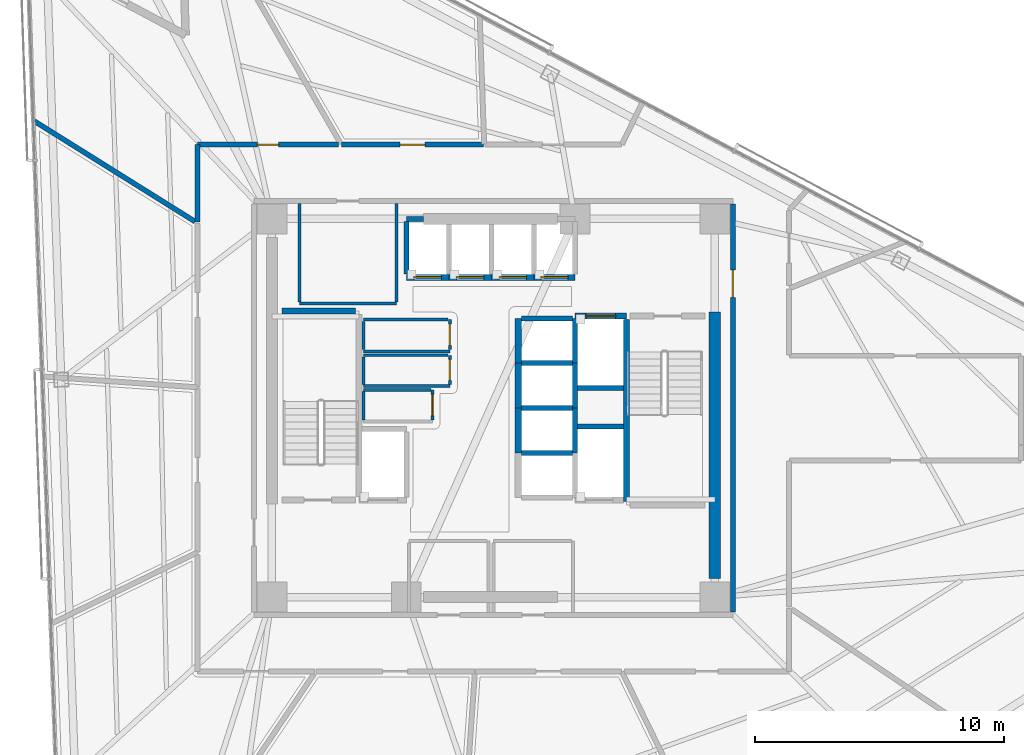
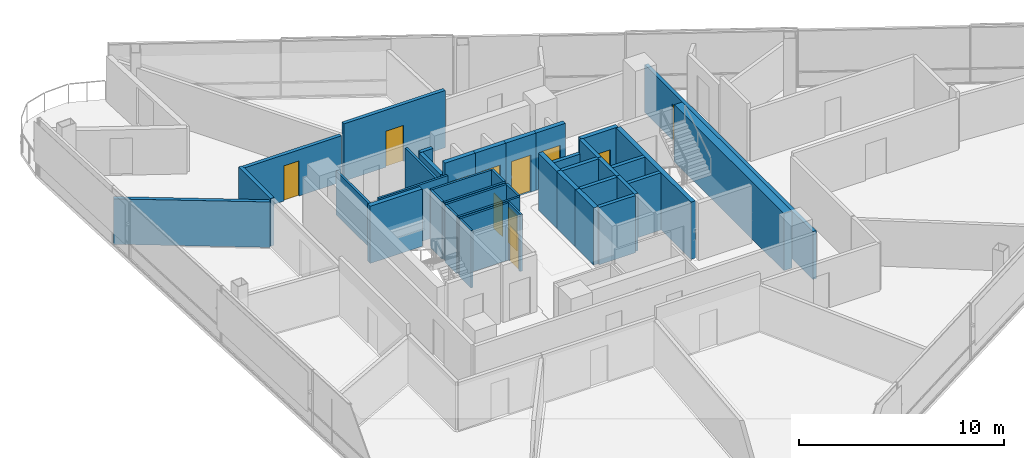
# One storey, part 13 of 20: 41 walls, 11 doors, 11 openings.
"""IFC4 building model written with IfcOpenShell, lengths in metres."""

from ifc_helpers import new_model, si_unit, direction, frame, frame_2d, origin, place, context, subcontext, project, spatial, rectangle, extrude, material, layer, layer_set, type_object, element, fill, save


model = new_model("IFC4")

# Units and contexts
model_context = context("Model", 3, precision=1e-05, world=origin(), true_north=direction((0.0, 1.0)))
body_context = subcontext(model_context, "Body", "Model", "MODEL_VIEW")
ifc_project = project(units=[si_unit("LENGTHUNIT", "METRE"), si_unit("AREAUNIT", "SQUARE_METRE"), si_unit("VOLUMEUNIT", "CUBIC_METRE"), si_unit("PLANEANGLEUNIT", "RADIAN"), si_unit("MASSUNIT", "GRAM", prefix="KILO")], contexts=[model_context])

# Site, building, storey
site_placement = place(None, origin())
site = spatial("IfcSite", under=ifc_project, at=site_placement, CompositionType="ELEMENT")
building_placement = place(site_placement, origin())
building = spatial("IfcBuilding", under=site, at=building_placement, Name="Tharavind Bronze Gate", CompositionType="ELEMENT")
storey_placement = place(building_placement, frame((0.0, 0.0, 149.60009765625)))
storey = spatial("IfcBuildingStorey", under=building, at=storey_placement, Name="L38", CompositionType="ELEMENT", Elevation=149.60009765625)

# Wall, opening, door
ifc_material_1 = material(Name="Aerated Concrete Block", Category="concrete")
ifc_layer_1 = layer(ifc_material_1, 0.199951171875)
ifc_layer_set_1 = layer_set([ifc_layer_1], Name="Aerated Concrete Block")
wall_type_1 = type_object("IfcWallType", Name="FIRE RATED PARTITION 200", PredefinedType="PARTITIONING", material=ifc_layer_set_1)
wall_1_placement = place(storey_placement, frame((9.6201171875, -8.199951171875, 0.0), z_axis=(0.0, 0.0, 1.0), x_axis=(0.0, 1.0, 0.0)))
wall_1 = element("IfcWall", 1, at=wall_1_placement, inside=storey, type_object=wall_type_1, Name="L38 east core corridor wall", PredefinedType="PARTITIONING", context=body_context, shape_type="SweptSolid", body=[
    extrude(rectangle(XDim=16.39990234375, YDim=0.199951171875, at=frame_2d((8.199951171875, 0.0))), origin(), (0.0, 0.0, 1.0), 2.85498046875),
])
opening_1_placement = place(wall_1_placement, frame((12.64990234375, 0.0, 0.0)))
opening_1 = element("IfcOpeningElement", 2, at=opening_1_placement, cuts=wall_1, Name="Opening ID01", PredefinedType="OPENING", context=body_context, shape_type="SweptSolid", body=[
    extrude(rectangle(XDim=1.10009765625, YDim=2.14990234375, at=frame_2d((0.550048828125, 1.074951171875))), frame((0.0, 0.11009765625, 0.0), z_axis=(0.0, -1.0, 0.0), x_axis=(1.0, 0.0, 0.0)), (0.0, 0.0, 1.0), 0.219951171875),
])
ifc_material_2 = material(Name="Fire-Rated Steel", Category="steel")
door_type_1 = type_object("IfcDoorType", Name="STAIR CORE FIRE DOOR 1100X2150", OperationType="SINGLE_SWING_LEFT", PredefinedType="DOOR", material=ifc_material_2)
door_1_placement = place(opening_1_placement, frame((1.10009765625, 0.0, 0.0), z_axis=(0.0, 0.0, 1.0), x_axis=(-1.0, 0.0, 0.0)))
door_1 = element("IfcDoor", 3, at=door_1_placement, inside=storey, type_object=door_type_1, Name="L38 north east stair lobby fire door", OperationType="SINGLE_SWING_LEFT", OverallHeight=2.14990234375, OverallWidth=1.10009765625, PredefinedType="DOOR", context=body_context, shape_type="SweptSolid", body=[
    extrude(rectangle(XDim=1.10009765625, YDim=2.14990234375, at=frame_2d((0.550048828125, 1.074951171875))), frame((0.0, 0.02490234375, 0.0), z_axis=(0.0, -1.0, 0.0), x_axis=(1.0, 0.0, 0.0)), (0.0, 0.0, 1.0), 0.050048828125),
])
fill(opening_1, door_1)

wall_2_placement = place(storey_placement, frame((-6.2294921875, 10.580078125, 0.0), z_axis=(0.0, 0.0, 1.0), x_axis=(-1.0, 0.0, 0.0)))
wall_2 = element("IfcWall", 4, at=wall_2_placement, inside=storey, type_object=wall_type_1, Name="L38 Public Restrooms Block partition", PredefinedType="PARTITIONING", context=body_context, shape_type="SweptSolid", body=[
    extrude(rectangle(XDim=5.64990234375, YDim=0.199951171875, at=frame_2d((2.824951171875, 0.0))), origin(), (0.0, 0.0, 1.0), 2.7548828125),
])
opening_2_placement = place(wall_2_placement, frame((2.39990234375, 0.0, 0.0)))
opening_2 = element("IfcOpeningElement", 5, at=opening_2_placement, cuts=wall_2, Name="Opening ID06", PredefinedType="OPENING", context=body_context, shape_type="SweptSolid", body=[
    extrude(rectangle(XDim=0.85009765625, YDim=2.10009765625, at=frame_2d((0.425048828125, 1.050048828125))), frame((0.0, 0.11009765625, 0.0), z_axis=(0.0, -1.0, 0.0), x_axis=(1.0, 0.0, 0.0)), (0.0, 0.0, 1.0), 0.219951171875),
])
ifc_material_3 = material(Name="Moisture-Resistant Timber", Category="wood")
door_type_2 = type_object("IfcDoorType", Name="BATHROOM PRIVACY DOOR 850X2100", OperationType="SINGLE_SWING_RIGHT", PredefinedType="DOOR", material=ifc_material_3)
door_2_placement = place(opening_2_placement, origin())
door_2 = element("IfcDoor", 6, at=door_2_placement, inside=storey, type_object=door_type_2, Name="L38 Public Restrooms Block door", OperationType="SINGLE_SWING_RIGHT", OverallHeight=2.10009765625, OverallWidth=0.85009765625, PredefinedType="DOOR", context=body_context, shape_type="SweptSolid", body=[
    extrude(rectangle(XDim=0.85009765625, YDim=2.10009765625, at=frame_2d((0.425048828125, 1.050048828125))), frame((0.0, 0.02490234375, 0.0), z_axis=(0.0, -1.0, 0.0), x_axis=(1.0, 0.0, 0.0)), (0.0, 0.0, 1.0), 0.050048828125),
])
fill(opening_2, door_2)

# Walls
wall_3_placement = place(storey_placement, frame((-11.8798828125, 10.579345703125, 0.0), z_axis=(0.0, 0.0, 1.0), x_axis=(0.0, -1.0, 0.0)))
element("IfcWall", 7, at=wall_3_placement, inside=storey, type_object=wall_type_1, Name="L38 Public Restrooms Block partition", PredefinedType="PARTITIONING", context=body_context, shape_type="SweptSolid", body=[
    extrude(rectangle(XDim=3.11083984375, YDim=0.199951171875, at=frame_2d((1.555419921875, 0.0))), origin(), (0.0, 0.0, 1.0), 2.85498046875),
])
wall_4_placement = place(storey_placement, frame((-11.985107421875, 7.489013671875, 0.0), z_axis=(0.0, 0.0, 1.0), x_axis=(-0.848034171939, 0.529941546988, 0.0)))
element("IfcWall", 8, at=wall_4_placement, inside=storey, type_object=wall_type_1, Name="L38 Public Restrooms Block partition", PredefinedType="PARTITIONING", context=body_context, shape_type="SweptSolid", body=[
    extrude(rectangle(XDim=7.6474609375, YDim=0.199951171875, at=frame_2d((3.82373046875, 0.0))), origin(), (0.0, 0.0, 1.0), 2.704833984375),
])

# Wall, opening, door
wall_5_placement = place(storey_placement, frame((-0.395263671875, 10.580078125, 0.0), z_axis=(0.0, 0.0, 1.0), x_axis=(-1.0, 0.0, 0.0)))
wall_5 = element("IfcWall", 9, at=wall_5_placement, inside=storey, type_object=wall_type_1, Name="L38 Advisory Office 2 partition", PredefinedType="PARTITIONING", context=body_context, shape_type="SweptSolid", body=[
    extrude(rectangle(XDim=5.69873046875, YDim=0.199951171875, at=frame_2d((2.849365234375, 0.0))), origin(), (0.0, 0.0, 1.0), 3.409912109375),
])
opening_3_placement = place(wall_5_placement, frame((2.34912109375, 0.0, 0.0)))
opening_3 = element("IfcOpeningElement", 10, at=opening_3_placement, cuts=wall_5, Name="Opening ID04", PredefinedType="OPENING", context=body_context, shape_type="SweptSolid", body=[
    extrude(rectangle(XDim=1.0, YDim=2.14990234375, at=frame_2d((0.5, 1.074951171875))), frame((0.0, 0.11009765625, 0.0), z_axis=(0.0, -1.0, 0.0), x_axis=(1.0, 0.0, 0.0)), (0.0, 0.0, 1.0), 0.219951171875),
])
ifc_material_4 = material(Name="Bronze Framed Acoustic Timber", Category="wood")
door_type_3 = type_object("IfcDoorType", Name="OFFICE TENANCY DOOR 1000X2150", OperationType="SINGLE_SWING_RIGHT", PredefinedType="DOOR", material=ifc_material_4)
door_3_placement = place(opening_3_placement, origin())
door_3 = element("IfcDoor", 11, at=door_3_placement, inside=storey, type_object=door_type_3, Name="L38 Advisory Office 2 door", OperationType="SINGLE_SWING_RIGHT", OverallHeight=2.14990234375, OverallWidth=1.0, PredefinedType="DOOR", context=body_context, shape_type="SweptSolid", body=[
    extrude(rectangle(XDim=1.0, YDim=2.14990234375, at=frame_2d((0.5, 1.074951171875))), frame((0.0, 0.02490234375, 0.0), z_axis=(0.0, -1.0, 0.0), x_axis=(1.0, 0.0, 0.0)), (0.0, 0.0, 1.0), 0.050048828125),
])
fill(opening_3, door_3)

# Wall
ifc_material_5 = material(Name="Metal Stud Gypsum Partition", Category="gypsum")
ifc_layer_2 = layer(ifc_material_5, 0.1201171875)
ifc_layer_set_2 = layer_set([ifc_layer_2], Name="Metal Stud Gypsum Partition")
wall_type_2 = type_object("IfcWallType", Name="INTERIOR PARTITION WALL 120", PredefinedType="PARTITIONING", material=ifc_layer_set_2)
wall_6_placement = place(storey_placement, frame((-5.219970703125, 2.280029296875, 0.0), z_axis=(0.0, 0.0, 1.0), x_axis=(1.0, 0.0, 0.0)))
element("IfcWall", 12, at=wall_6_placement, inside=storey, type_object=wall_type_2, Name="L38 Housekeeping Linen Store partition 1", PredefinedType="PARTITIONING", context=body_context, shape_type="SweptSolid", body=[
    extrude(rectangle(XDim=3.469970703125, YDim=0.1201171875, at=frame_2d((1.73486328125, 0.0))), origin(), (0.0, 0.0, 1.0), 3.409912109375),
])

# Wall, opening, door
wall_7_placement = place(storey_placement, frame((-1.75, 2.344970703125, 0.0), z_axis=(0.0, 0.0, 1.0), x_axis=(0.0, 1.0, 0.0)))
wall_7 = element("IfcWall", 13, at=wall_7_placement, inside=storey, type_object=wall_type_2, Name="L38 Housekeeping Linen Store partition 2", PredefinedType="PARTITIONING", context=body_context, shape_type="SweptSolid", body=[
    extrude(rectangle(XDim=1.205078125, YDim=0.1201171875, at=frame_2d((0.6025390625, 0.0))), origin(), (0.0, 0.0, 1.0), 3.409912109375),
])
opening_4_placement = place(wall_7_placement, frame((0.177001953125, 0.0, 0.0)))
opening_4 = element("IfcOpeningElement", 14, at=opening_4_placement, cuts=wall_7, Name="Opening ID06", PredefinedType="OPENING", context=body_context, shape_type="SweptSolid", body=[
    extrude(rectangle(XDim=0.85009765625, YDim=2.10009765625, at=frame_2d((0.425048828125, 1.050048828125))), frame((0.0, 0.07005859375, 0.0), z_axis=(0.0, -1.0, 0.0), x_axis=(1.0, 0.0, 0.0)), (0.0, 0.0, 1.0), 0.1401171875),
])
door_4_placement = place(opening_4_placement, frame((0.85009765625, 0.0, 0.0), z_axis=(0.0, 0.0, 1.0), x_axis=(-1.0, 0.0, 0.0)))
door_4 = element("IfcDoor", 15, at=door_4_placement, inside=storey, type_object=door_type_2, Name="L38 Housekeeping Linen Store door", OperationType="SINGLE_SWING_RIGHT", OverallHeight=2.10009765625, OverallWidth=0.85009765625, PredefinedType="DOOR", context=body_context, shape_type="SweptSolid", body=[
    extrude(rectangle(XDim=0.85009765625, YDim=2.10009765625, at=frame_2d((0.425048828125, 1.050048828125))), frame((0.0, 0.02490234375, 0.0), z_axis=(0.0, -1.0, 0.0), x_axis=(1.0, 0.0, 0.0)), (0.0, 0.0, 1.0), 0.050048828125),
])
fill(opening_4, door_4)

# Walls
wall_8_placement = place(storey_placement, frame((-1.81494140625, 3.550048828125, 0.0), z_axis=(0.0, 0.0, 1.0), x_axis=(-1.0, 0.0, 0.0)))
element("IfcWall", 16, at=wall_8_placement, inside=storey, type_object=wall_type_2, Name="L38 Housekeeping Linen Store partition 3", PredefinedType="PARTITIONING", context=body_context, shape_type="SweptSolid", body=[
    extrude(rectangle(XDim=3.405029296875, YDim=0.1201171875, at=frame_2d((1.70263671875, 0.0))), origin(), (0.0, 0.0, 1.0), 3.409912109375),
])
wall_9_placement = place(storey_placement, frame((-5.219970703125, 3.485107421875, 0.0), z_axis=(0.0, 0.0, 1.0), x_axis=(0.0, -1.0, 0.0)))
element("IfcWall", 17, at=wall_9_placement, inside=storey, type_object=wall_type_2, Name="L38 Housekeeping Linen Store partition 4", PredefinedType="PARTITIONING", context=body_context, shape_type="SweptSolid", body=[
    extrude(rectangle(XDim=1.14013671875, YDim=0.1201171875, at=frame_2d((0.570068359375, 0.0))), origin(), (0.0, 0.0, 1.0), 3.409912109375),
])
wall_10_placement = place(storey_placement, frame((-5.219970703125, 0.8798828125, 0.0), z_axis=(0.0, 0.0, 1.0), x_axis=(1.0, 0.0, 0.0)))
element("IfcWall", 18, at=wall_10_placement, inside=storey, type_object=wall_type_2, Name="L38 Comms Data Room partition 1", PredefinedType="PARTITIONING", context=body_context, shape_type="SweptSolid", body=[
    extrude(rectangle(XDim=3.469970703125, YDim=0.1201171875, at=frame_2d((1.73486328125, 0.0))), origin(), (0.0, 0.0, 1.0), 3.409912109375),
])

# Wall, opening, door
wall_11_placement = place(storey_placement, frame((-1.75, 0.945068359375, 0.0), z_axis=(0.0, 0.0, 1.0), x_axis=(0.0, 1.0, 0.0)))
wall_11 = element("IfcWall", 19, at=wall_11_placement, inside=storey, type_object=wall_type_2, Name="L38 Comms Data Room partition 2", PredefinedType="PARTITIONING", context=body_context, shape_type="SweptSolid", body=[
    extrude(rectangle(XDim=1.175048828125, YDim=0.1201171875, at=frame_2d((0.58740234375, 0.0))), origin(), (0.0, 0.0, 1.0), 3.409912109375),
])
opening_5_placement = place(wall_11_placement, frame((0.1630859375, 0.0, 0.0)))
opening_5 = element("IfcOpeningElement", 20, at=opening_5_placement, cuts=wall_11, Name="Opening ID06", PredefinedType="OPENING", context=body_context, shape_type="SweptSolid", body=[
    extrude(rectangle(XDim=0.85009765625, YDim=2.10009765625, at=frame_2d((0.425048828125, 1.050048828125))), frame((0.0, 0.07005859375, 0.0), z_axis=(0.0, -1.0, 0.0), x_axis=(1.0, 0.0, 0.0)), (0.0, 0.0, 1.0), 0.1401171875),
])
door_5_placement = place(opening_5_placement, frame((0.85009765625, 0.0, 0.0), z_axis=(0.0, 0.0, 1.0), x_axis=(-1.0, 0.0, 0.0)))
door_5 = element("IfcDoor", 21, at=door_5_placement, inside=storey, type_object=door_type_2, Name="L38 Comms Data Room door", OperationType="SINGLE_SWING_RIGHT", OverallHeight=2.10009765625, OverallWidth=0.85009765625, PredefinedType="DOOR", context=body_context, shape_type="SweptSolid", body=[
    extrude(rectangle(XDim=0.85009765625, YDim=2.10009765625, at=frame_2d((0.425048828125, 1.050048828125))), frame((0.0, 0.02490234375, 0.0), z_axis=(0.0, -1.0, 0.0), x_axis=(1.0, 0.0, 0.0)), (0.0, 0.0, 1.0), 0.050048828125),
])
fill(opening_5, door_5)

# Walls
wall_12_placement = place(storey_placement, frame((-1.81494140625, 2.1201171875, 0.0), z_axis=(0.0, 0.0, 1.0), x_axis=(-1.0, 0.0, 0.0)))
element("IfcWall", 22, at=wall_12_placement, inside=storey, type_object=wall_type_2, Name="L38 Comms Data Room partition 3", PredefinedType="PARTITIONING", context=body_context, shape_type="SweptSolid", body=[
    extrude(rectangle(XDim=3.405029296875, YDim=0.1201171875, at=frame_2d((1.70263671875, 0.0))), origin(), (0.0, 0.0, 1.0), 3.409912109375),
])
wall_13_placement = place(storey_placement, frame((-5.219970703125, 2.054931640625, 0.0), z_axis=(0.0, 0.0, 1.0), x_axis=(0.0, -1.0, 0.0)))
element("IfcWall", 23, at=wall_13_placement, inside=storey, type_object=wall_type_2, Name="L38 Comms Data Room partition 4", PredefinedType="PARTITIONING", context=body_context, shape_type="SweptSolid", body=[
    extrude(rectangle(XDim=1.10986328125, YDim=0.1201171875, at=frame_2d((0.554931640625, 0.0))), origin(), (0.0, 0.0, 1.0), 3.409912109375),
])

# Wall, opening, door
wall_14_placement = place(storey_placement, frame((-2.449951171875, -0.485107421875, 0.0), z_axis=(0.0, 0.0, 1.0), x_axis=(0.0, 1.0, 0.0)))
wall_14 = element("IfcWall", 24, at=wall_14_placement, inside=storey, type_object=wall_type_2, Name="L38 Electrical Metering Store partition 2", PredefinedType="PARTITIONING", context=body_context, shape_type="SweptSolid", body=[
    extrude(rectangle(XDim=1.205078125, YDim=0.1201171875, at=frame_2d((0.6025390625, 0.0))), origin(), (0.0, 0.0, 1.0), 3.409912109375),
])
opening_6_placement = place(wall_14_placement, frame((0.177978515625, 0.0, 0.0)))
opening_6 = element("IfcOpeningElement", 25, at=opening_6_placement, cuts=wall_14, Name="Opening ID06", PredefinedType="OPENING", context=body_context, shape_type="SweptSolid", body=[
    extrude(rectangle(XDim=0.85009765625, YDim=2.10009765625, at=frame_2d((0.425048828125, 1.050048828125))), frame((0.0, 0.07005859375, 0.0), z_axis=(0.0, -1.0, 0.0), x_axis=(1.0, 0.0, 0.0)), (0.0, 0.0, 1.0), 0.1401171875),
])
door_6_placement = place(opening_6_placement, frame((0.85009765625, 0.0, 0.0), z_axis=(0.0, 0.0, 1.0), x_axis=(-1.0, 0.0, 0.0)))
door_6 = element("IfcDoor", 26, at=door_6_placement, inside=storey, type_object=door_type_2, Name="L38 Electrical Metering Store door", OperationType="SINGLE_SWING_RIGHT", OverallHeight=2.10009765625, OverallWidth=0.85009765625, PredefinedType="DOOR", context=body_context, shape_type="SweptSolid", body=[
    extrude(rectangle(XDim=0.85009765625, YDim=2.10009765625, at=frame_2d((0.425048828125, 1.050048828125))), frame((0.0, 0.02490234375, 0.0), z_axis=(0.0, -1.0, 0.0), x_axis=(1.0, 0.0, 0.0)), (0.0, 0.0, 1.0), 0.050048828125),
])
fill(opening_6, door_6)

# Walls
wall_15_placement = place(storey_placement, frame((-2.514892578125, 0.719970703125, 0.0), z_axis=(0.0, 0.0, 1.0), x_axis=(-1.0, 0.0, 0.0)))
element("IfcWall", 27, at=wall_15_placement, inside=storey, type_object=wall_type_2, Name="L38 Electrical Metering Store partition 3", PredefinedType="PARTITIONING", context=body_context, shape_type="SweptSolid", body=[
    extrude(rectangle(XDim=2.705078125, YDim=0.1201171875, at=frame_2d((1.3525390625, 0.0))), origin(), (0.0, 0.0, 1.0), 3.409912109375),
])
wall_16_placement = place(storey_placement, frame((-5.219970703125, 0.655029296875, 0.0), z_axis=(0.0, 0.0, 1.0), x_axis=(0.0, -1.0, 0.0)))
element("IfcWall", 28, at=wall_16_placement, inside=storey, type_object=wall_type_2, Name="L38 Electrical Metering Store partition 4", PredefinedType="PARTITIONING", context=body_context, shape_type="SweptSolid", body=[
    extrude(rectangle(XDim=1.14013671875, YDim=0.1201171875, at=frame_2d((0.570068359375, 0.0))), origin(), (0.0, 0.0, 1.0), 3.409912109375),
])
wall_17_placement = place(storey_placement, frame((-7.800048828125, 4.199951171875, 0.0), z_axis=(0.0, 0.0, 1.0), x_axis=(1.0, 0.0, 0.0)))
element("IfcWall", 29, at=wall_17_placement, inside=storey, type_object=wall_type_2, Name="L38 Electrical Switch Room partition 1", PredefinedType="PARTITIONING", context=body_context, shape_type="SweptSolid", body=[
    extrude(rectangle(XDim=3.900146484375, YDim=0.1201171875, at=frame_2d((1.9501953125, 0.0))), origin(), (0.0, 0.0, 1.0), 3.409912109375),
])
for number, where, z_axis, x_axis, name in (
    (30, (-3.89990234375, 4.264892578125, 0.0), (0.0, 0.0, 1.0), (0.0, 1.0, 0.0), "L38 Electrical Switch Room partition 2"),
    (31, (-7.800048828125, 8.215087890625, 0.0), (0.0, 0.0, 1.0), (0.0, -1.0, 0.0), "L38 Electrical Switch Room partition 4"),
):
    element("IfcWall", number, at=place(storey_placement, frame(where, z_axis=z_axis, x_axis=x_axis)), inside=storey, type_object=wall_type_2, Name=name, PredefinedType="PARTITIONING", context=body_context, shape_type="SweptSolid", body=[
        extrude(rectangle(XDim=3.9501953125, YDim=0.1201171875, at=frame_2d((1.97509765625, 0.0))), origin(), (0.0, 0.0, 1.0), 2.60498046875),
    ])
ifc_material_6 = material(Name="Concrete C50/60", Category="concrete")
ifc_layer_3 = layer(ifc_material_6, 0.25)
ifc_layer_set_3 = layer_set([ifc_layer_3], Name="Concrete C50/60")
wall_type_3 = type_object("IfcWallType", Name="RC CORE SHEAR WALL 250", PredefinedType="SHEAR", material=ifc_layer_set_3)
wall_18_placement = place(storey_placement, frame((-8.5, 3.89990234375, 0.0), z_axis=(0.0, 0.0, 1.0), x_axis=(1.0, 0.0, 0.0)))
element("IfcWall", 32, at=wall_18_placement, inside=storey, type_object=wall_type_3, Name="L38 ST1 shaft north wall", PredefinedType="SHEAR", context=body_context, shape_type="SweptSolid", body=[
    extrude(rectangle(XDim=2.949951171875, YDim=0.25, at=frame_2d((1.47509765625, 0.0))), origin(), (0.0, 0.0, 1.0), 3.409912109375),
])
wall_19_placement = place(storey_placement, frame((5.35009765625, -3.75, 0.0), z_axis=(0.0, 0.0, 1.0), x_axis=(0.0, 1.0, 0.0)))
element("IfcWall", 33, at=wall_19_placement, inside=storey, type_object=wall_type_3, Name="L38 ST2 shaft west wall", PredefinedType="SHEAR", context=body_context, shape_type="SweptSolid", body=[
    extrude(rectangle(XDim=7.300048828125, YDim=0.25, at=frame_2d((3.64990234375, 0.0))), origin(), (0.0, 0.0, 1.0), 3.409912109375),
])

# Wall, opening, door
wall_20_placement = place(storey_placement, frame((-3.5, 5.25, 0.0), z_axis=(0.0, 0.0, 1.0), x_axis=(1.0, 0.0, 0.0)))
wall_20 = element("IfcWall", 34, at=wall_20_placement, inside=storey, type_object=wall_type_3, Name="L38 lift PL5 shaft front wall", PredefinedType="SHEAR", context=body_context, shape_type="SweptSolid", body=[
    extrude(rectangle(XDim=1.71240234375, YDim=0.25, at=frame_2d((0.856201171875, 0.0))), origin(), (0.0, 0.0, 1.0), 3.409912109375),
])
opening_7_placement = place(wall_20_placement, frame((0.305908203125, 0.0, 0.0)))
opening_7 = element("IfcOpeningElement", 35, at=opening_7_placement, cuts=wall_20, Name="Opening LD01", PredefinedType="OPENING", context=body_context, shape_type="SweptSolid", body=[
    extrude(rectangle(XDim=1.10009765625, YDim=2.199951171875, at=frame_2d((0.550048828125, 1.10009765625))), frame((0.0, 0.135, 0.0), z_axis=(0.0, -1.0, 0.0), x_axis=(1.0, 0.0, 0.0)), (0.0, 0.0, 1.0), 0.27),
])
ifc_material_7 = material(Name="Brushed Bronze Stainless Steel", Category="steel")
door_type_4 = type_object("IfcDoorType", Name="LIFT LANDING SLIDING DOOR 1100X2200", OperationType="SLIDING_TO_LEFT", PredefinedType="DOOR", material=ifc_material_7)
door_7_placement = place(opening_7_placement, origin())
door_7 = element("IfcDoor", 36, at=door_7_placement, inside=storey, type_object=door_type_4, Name="L38 lift PL5 sliding landing door", OperationType="SLIDING_TO_LEFT", OverallHeight=2.199951171875, OverallWidth=1.10009765625, PredefinedType="DOOR", context=body_context, shape_type="SweptSolid", body=[
    extrude(rectangle(XDim=1.10009765625, YDim=2.199951171875, at=frame_2d((0.550048828125, 1.10009765625))), frame((0.0, 0.02490234375, 0.0), z_axis=(0.0, -1.0, 0.0), x_axis=(1.0, 0.0, 0.0)), (0.0, 0.0, 1.0), 0.050048828125),
])
fill(opening_7, door_7)

wall_21_placement = place(storey_placement, frame((-1.78759765625, 5.25, 0.0), z_axis=(0.0, 0.0, 1.0), x_axis=(1.0, 0.0, 0.0)))
wall_21 = element("IfcWall", 37, at=wall_21_placement, inside=storey, type_object=wall_type_3, Name="L38 lift PL6 shaft front wall", PredefinedType="SHEAR", context=body_context, shape_type="SweptSolid", body=[
    extrude(rectangle(XDim=1.712646484375, YDim=0.25, at=frame_2d((0.8564453125, 0.0))), origin(), (0.0, 0.0, 1.0), 3.409912109375),
])
opening_8_placement = place(wall_21_placement, frame((0.305908203125, 0.0, 0.0)))
opening_8 = element("IfcOpeningElement", 38, at=opening_8_placement, cuts=wall_21, Name="Opening LD01", PredefinedType="OPENING", context=body_context, shape_type="SweptSolid", body=[
    extrude(rectangle(XDim=1.10009765625, YDim=2.199951171875, at=frame_2d((0.550048828125, 1.10009765625))), frame((0.0, 0.135, 0.0), z_axis=(0.0, -1.0, 0.0), x_axis=(1.0, 0.0, 0.0)), (0.0, 0.0, 1.0), 0.27),
])
door_8_placement = place(opening_8_placement, origin())
door_8 = element("IfcDoor", 39, at=door_8_placement, inside=storey, type_object=door_type_4, Name="L38 lift PL6 sliding landing door", OperationType="SLIDING_TO_LEFT", OverallHeight=2.199951171875, OverallWidth=1.10009765625, PredefinedType="DOOR", context=body_context, shape_type="SweptSolid", body=[
    extrude(rectangle(XDim=1.10009765625, YDim=2.199951171875, at=frame_2d((0.550048828125, 1.10009765625))), frame((0.0, 0.02490234375, 0.0), z_axis=(0.0, -1.0, 0.0), x_axis=(1.0, 0.0, 0.0)), (0.0, 0.0, 1.0), 0.050048828125),
])
fill(opening_8, door_8)

wall_22_placement = place(storey_placement, frame((-0.074951171875, 5.25, 0.0), z_axis=(0.0, 0.0, 1.0), x_axis=(1.0, 0.0, 0.0)))
wall_22 = element("IfcWall", 40, at=wall_22_placement, inside=storey, type_object=wall_type_3, Name="L38 lift PL7 shaft front wall", PredefinedType="SHEAR", context=body_context, shape_type="SweptSolid", body=[
    extrude(rectangle(XDim=1.71240234375, YDim=0.25, at=frame_2d((0.856201171875, 0.0))), origin(), (0.0, 0.0, 1.0), 3.409912109375),
])
opening_9_placement = place(wall_22_placement, frame((0.305908203125, 0.0, 0.0)))
opening_9 = element("IfcOpeningElement", 41, at=opening_9_placement, cuts=wall_22, Name="Opening LD01", PredefinedType="OPENING", context=body_context, shape_type="SweptSolid", body=[
    extrude(rectangle(XDim=1.10009765625, YDim=2.199951171875, at=frame_2d((0.550048828125, 1.10009765625))), frame((0.0, 0.135, 0.0), z_axis=(0.0, -1.0, 0.0), x_axis=(1.0, 0.0, 0.0)), (0.0, 0.0, 1.0), 0.27),
])
door_9_placement = place(opening_9_placement, origin())
door_9 = element("IfcDoor", 42, at=door_9_placement, inside=storey, type_object=door_type_4, Name="L38 lift PL7 sliding landing door", OperationType="SLIDING_TO_LEFT", OverallHeight=2.199951171875, OverallWidth=1.10009765625, PredefinedType="DOOR", context=body_context, shape_type="SweptSolid", body=[
    extrude(rectangle(XDim=1.10009765625, YDim=2.199951171875, at=frame_2d((0.550048828125, 1.10009765625))), frame((0.0, 0.02490234375, 0.0), z_axis=(0.0, -1.0, 0.0), x_axis=(1.0, 0.0, 0.0)), (0.0, 0.0, 1.0), 0.050048828125),
])
fill(opening_9, door_9)

wall_23_placement = place(storey_placement, frame((1.637451171875, 5.25, 0.0), z_axis=(0.0, 0.0, 1.0), x_axis=(1.0, 0.0, 0.0)))
wall_23 = element("IfcWall", 43, at=wall_23_placement, inside=storey, type_object=wall_type_3, Name="L38 lift PL8 shaft front wall", PredefinedType="SHEAR", context=body_context, shape_type="SweptSolid", body=[
    extrude(rectangle(XDim=1.642578125, YDim=0.25, at=frame_2d((0.8212890625, 0.0))), origin(), (0.0, 0.0, 1.0), 3.409912109375),
])
opening_10_placement = place(wall_23_placement, frame((0.27099609375, 0.0, 0.0)))
opening_10 = element("IfcOpeningElement", 44, at=opening_10_placement, cuts=wall_23, Name="Opening LD01", PredefinedType="OPENING", context=body_context, shape_type="SweptSolid", body=[
    extrude(rectangle(XDim=1.10009765625, YDim=2.199951171875, at=frame_2d((0.550048828125, 1.10009765625))), frame((0.0, 0.135, 0.0), z_axis=(0.0, -1.0, 0.0), x_axis=(1.0, 0.0, 0.0)), (0.0, 0.0, 1.0), 0.27),
])
door_10_placement = place(opening_10_placement, origin())
door_10 = element("IfcDoor", 45, at=door_10_placement, inside=storey, type_object=door_type_4, Name="L38 lift PL8 sliding landing door", OperationType="SLIDING_TO_LEFT", OverallHeight=2.199951171875, OverallWidth=1.10009765625, PredefinedType="DOOR", context=body_context, shape_type="SweptSolid", body=[
    extrude(rectangle(XDim=1.10009765625, YDim=2.199951171875, at=frame_2d((0.550048828125, 1.10009765625))), frame((0.0, 0.02490234375, 0.0), z_axis=(0.0, -1.0, 0.0), x_axis=(1.0, 0.0, 0.0)), (0.0, 0.0, 1.0), 0.050048828125),
])
fill(opening_10, door_10)

# Walls
for number, where, z_axis, x_axis, name in (
    (46, (1.0, -1.800048828125, 0.0), (0.0, 0.0, 1.0), (0.0, 1.0, 0.0), "L38 lift PL10 shaft front wall"),
    (47, (1.0, 0.0, 0.0), (0.0, 0.0, 1.0), (0.0, 1.0, 0.0), "L38 lift PL11 shaft front wall"),
    (48, (1.0, 1.800048828125, 0.0), (0.0, 0.0, 1.0), (0.0, 1.0, 0.0), "L38 lift PL12 shaft front wall"),
):
    element("IfcWall", number, at=place(storey_placement, frame(where, z_axis=z_axis, x_axis=x_axis)), inside=storey, type_object=wall_type_3, Name=name, PredefinedType="SHEAR", context=body_context, shape_type="SweptSolid", body=[
        extrude(rectangle(XDim=1.800048828125, YDim=0.25, at=frame_2d((0.89990234375, 0.0))), origin(), (0.0, 0.0, 1.0), 3.409912109375),
    ])

# Wall, opening, door
wall_24_placement = place(storey_placement, frame((3.280029296875, 3.699951171875, 0.0), z_axis=(0.0, 0.0, 1.0), x_axis=(1.0, 0.0, 0.0)))
wall_24 = element("IfcWall", 49, at=wall_24_placement, inside=storey, type_object=wall_type_3, Name="L38 lift FFL2 shaft front wall", PredefinedType="SHEAR", context=body_context, shape_type="SweptSolid", body=[
    extrude(rectangle(XDim=2.070068359375, YDim=0.25, at=frame_2d((1.03515625, 0.0))), origin(), (0.0, 0.0, 1.0), 3.409912109375),
])
opening_11_placement = place(wall_24_placement, frame((0.43505859375, 0.0, 0.0)))
opening_11 = element("IfcOpeningElement", 50, at=opening_11_placement, cuts=wall_24, Name="Opening LD02", PredefinedType="OPENING", context=body_context, shape_type="SweptSolid", body=[
    extrude(rectangle(XDim=1.199951171875, YDim=2.199951171875, at=frame_2d((0.60009765625, 1.10009765625))), frame((0.0, 0.135, 0.0), z_axis=(0.0, -1.0, 0.0), x_axis=(1.0, 0.0, 0.0)), (0.0, 0.0, 1.0), 0.27),
])
ifc_material_8 = material(Name="Brushed Stainless Steel", Category="steel")
door_type_5 = type_object("IfcDoorType", Name="FIREFIGHTING LIFT LANDING DOOR 1200X2200", OperationType="SLIDING_TO_RIGHT", PredefinedType="DOOR", material=ifc_material_8)
door_11_placement = place(opening_11_placement, origin())
door_11 = element("IfcDoor", 51, at=door_11_placement, inside=storey, type_object=door_type_5, Name="L38 lift FFL2 sliding landing door", OperationType="SLIDING_TO_RIGHT", OverallHeight=2.199951171875, OverallWidth=1.199951171875, PredefinedType="DOOR", context=body_context, shape_type="SweptSolid", body=[
    extrude(rectangle(XDim=1.199951171875, YDim=2.199951171875, at=frame_2d((0.60009765625, 1.10009765625))), frame((0.0, 0.02490234375, 0.0), z_axis=(0.0, -1.0, 0.0), x_axis=(1.0, 0.0, 0.0)), (0.0, 0.0, 1.0), 0.050048828125),
])
fill(opening_11, door_11)

# Walls
ifc_material_9 = material(Name="Concrete C60/75", Category="concrete")
ifc_layer_4 = layer(ifc_material_9, 0.449951171875)
ifc_layer_set_4 = layer_set([ifc_layer_4], Name="Concrete C60/75")
wall_type_4 = type_object("IfcWallType", Name="RC CORE SHEAR WALL 450", PredefinedType="SHEAR", material=ifc_layer_set_4)
wall_25_placement = place(storey_placement, frame((8.89990234375, -6.85009765625, 0.0), z_axis=(0.0, 0.0, 1.0), x_axis=(0.0, 1.0, 0.0)))
element("IfcWall", 52, at=wall_25_placement, inside=storey, type_object=wall_type_4, Name="L38 east core shear wall", PredefinedType="SHEAR", context=body_context, shape_type="SweptSolid", body=[
    extrude(rectangle(XDim=10.7001953125, YDim=0.449951171875, at=frame_2d((5.35009765625, 0.0))), origin(), (0.0, 0.0, 1.0), 3.409912109375),
])
ifc_material_10 = material(Name="Concrete C40/50", Category="concrete")
ifc_layer_5 = layer(ifc_material_10, 0.199951171875)
ifc_layer_set_5 = layer_set([ifc_layer_5], Name="Concrete C40/50")
wall_type_5 = type_object("IfcWallType", Name="SHAFT ENCLOSURE WALL 200", PredefinedType="PARTITIONING", material=ifc_layer_set_5)
wall_26_placement = place(storey_placement, frame((-3.5, 7.60009765625, 0.0), z_axis=(0.0, 0.0, 1.0), x_axis=(1.0, 0.0, 0.0)))
element("IfcWall", 53, at=wall_26_placement, inside=storey, type_object=wall_type_5, Name="L38 lift PL5 shaft N enclosure wall", PredefinedType="PARTITIONING", context=body_context, shape_type="SweptSolid", body=[
    extrude(rectangle(XDim=0.699951171875, YDim=0.199951171875, at=frame_2d((0.35009765625, 0.0))), origin(), (0.0, 0.0, 1.0), 2.60498046875),
])
wall_27_placement = place(storey_placement, frame((-3.5, 5.3798828125, 0.0), z_axis=(0.0, 0.0, 1.0), x_axis=(0.0, 1.0, 0.0)))
element("IfcWall", 54, at=wall_27_placement, inside=storey, type_object=wall_type_5, Name="L38 lift PL5 shaft W enclosure wall", PredefinedType="PARTITIONING", context=body_context, shape_type="SweptSolid", body=[
    extrude(rectangle(XDim=2.115234375, YDim=0.199951171875, at=frame_2d((1.0576171875, 0.0))), origin(), (0.0, 0.0, 1.0), 2.60498046875),
])
wall_28_placement = place(storey_placement, frame((1.1298828125, -1.800048828125, 0.0), z_axis=(0.0, 0.0, 1.0), x_axis=(1.0, 0.0, 0.0)))
element("IfcWall", 55, at=wall_28_placement, inside=storey, type_object=wall_type_5, Name="L38 lift PL9 shaft N enclosure wall", PredefinedType="PARTITIONING", context=body_context, shape_type="SweptSolid", body=[
    extrude(rectangle(XDim=2.045166015625, YDim=0.199951171875, at=frame_2d((1.0224609375, 0.0))), origin(), (0.0, 0.0, 1.0), 3.409912109375),
])
wall_29_placement = place(storey_placement, frame((3.280029296875, -1.800048828125, 0.0), z_axis=(0.0, 0.0, 1.0), x_axis=(0.0, 1.0, 0.0)))
element("IfcWall", 56, at=wall_29_placement, inside=storey, type_object=wall_type_5, Name="L38 lift PL10 shaft E enclosure wall", PredefinedType="PARTITIONING", context=body_context, shape_type="SweptSolid", body=[
    extrude(rectangle(XDim=1.800048828125, YDim=0.199951171875, at=frame_2d((0.89990234375, 0.0))), origin(), (0.0, 0.0, 1.0), 3.409912109375),
])
wall_30_placement = place(storey_placement, frame((1.1298828125, 0.0, 0.0), z_axis=(0.0, 0.0, 1.0), x_axis=(1.0, 0.0, 0.0)))
element("IfcWall", 57, at=wall_30_placement, inside=storey, type_object=wall_type_5, Name="L38 lift PL10 shaft N enclosure wall", PredefinedType="PARTITIONING", context=body_context, shape_type="SweptSolid", body=[
    extrude(rectangle(XDim=2.045166015625, YDim=0.199951171875, at=frame_2d((1.0224609375, 0.0))), origin(), (0.0, 0.0, 1.0), 3.409912109375),
])
wall_31_placement = place(storey_placement, frame((3.280029296875, 0.0, 0.0), z_axis=(0.0, 0.0, 1.0), x_axis=(0.0, 1.0, 0.0)))
element("IfcWall", 58, at=wall_31_placement, inside=storey, type_object=wall_type_5, Name="L38 lift PL11 shaft E enclosure wall", PredefinedType="PARTITIONING", context=body_context, shape_type="SweptSolid", body=[
    extrude(rectangle(XDim=1.800048828125, YDim=0.199951171875, at=frame_2d((0.89990234375, 0.0))), origin(), (0.0, 0.0, 1.0), 3.409912109375),
])
wall_32_placement = place(storey_placement, frame((1.1298828125, 1.800048828125, 0.0), z_axis=(0.0, 0.0, 1.0), x_axis=(1.0, 0.0, 0.0)))
element("IfcWall", 59, at=wall_32_placement, inside=storey, type_object=wall_type_5, Name="L38 lift PL11 shaft N enclosure wall", PredefinedType="PARTITIONING", context=body_context, shape_type="SweptSolid", body=[
    extrude(rectangle(XDim=2.045166015625, YDim=0.199951171875, at=frame_2d((1.0224609375, 0.0))), origin(), (0.0, 0.0, 1.0), 3.409912109375),
])
wall_33_placement = place(storey_placement, frame((3.280029296875, 1.800048828125, 0.0), z_axis=(0.0, 0.0, 1.0), x_axis=(0.0, 1.0, 0.0)))
element("IfcWall", 60, at=wall_33_placement, inside=storey, type_object=wall_type_5, Name="L38 lift PL12 shaft E enclosure wall", PredefinedType="PARTITIONING", context=body_context, shape_type="SweptSolid", body=[
    extrude(rectangle(XDim=1.800048828125, YDim=0.199951171875, at=frame_2d((0.89990234375, 0.0))), origin(), (0.0, 0.0, 1.0), 3.409912109375),
])
wall_34_placement = place(storey_placement, frame((1.1298828125, 3.60009765625, 0.0), z_axis=(0.0, 0.0, 1.0), x_axis=(1.0, 0.0, 0.0)))
element("IfcWall", 61, at=wall_34_placement, inside=storey, type_object=wall_type_5, Name="L38 lift PL12 shaft N enclosure wall", PredefinedType="PARTITIONING", context=body_context, shape_type="SweptSolid", body=[
    extrude(rectangle(XDim=2.045166015625, YDim=0.199951171875, at=frame_2d((1.0224609375, 0.0))), origin(), (0.0, 0.0, 1.0), 2.60498046875),
])
for number, where, z_axis, x_axis, name in (
    (62, (3.385009765625, 0.800048828125, 0.0), (0.0, 0.0, 1.0), (1.0, 0.0, 0.0), "L38 lift FFL2 shaft S enclosure wall"),
    (63, (3.385009765625, -0.75, 0.0), (0.0, 0.0, 1.0), (1.0, 0.0, 0.0), "L38 lift SVL1 shaft N enclosure wall"),
):
    element("IfcWall", number, at=place(storey_placement, frame(where, z_axis=z_axis, x_axis=x_axis)), inside=storey, type_object=wall_type_5, Name=name, PredefinedType="PARTITIONING", context=body_context, shape_type="SweptSolid", body=[
        extrude(rectangle(XDim=1.8349609375, YDim=0.199951171875, at=frame_2d((0.91748046875, 0.0))), origin(), (0.0, 0.0, 1.0), 3.409912109375),
    ])

save(model, "model.ifc")
